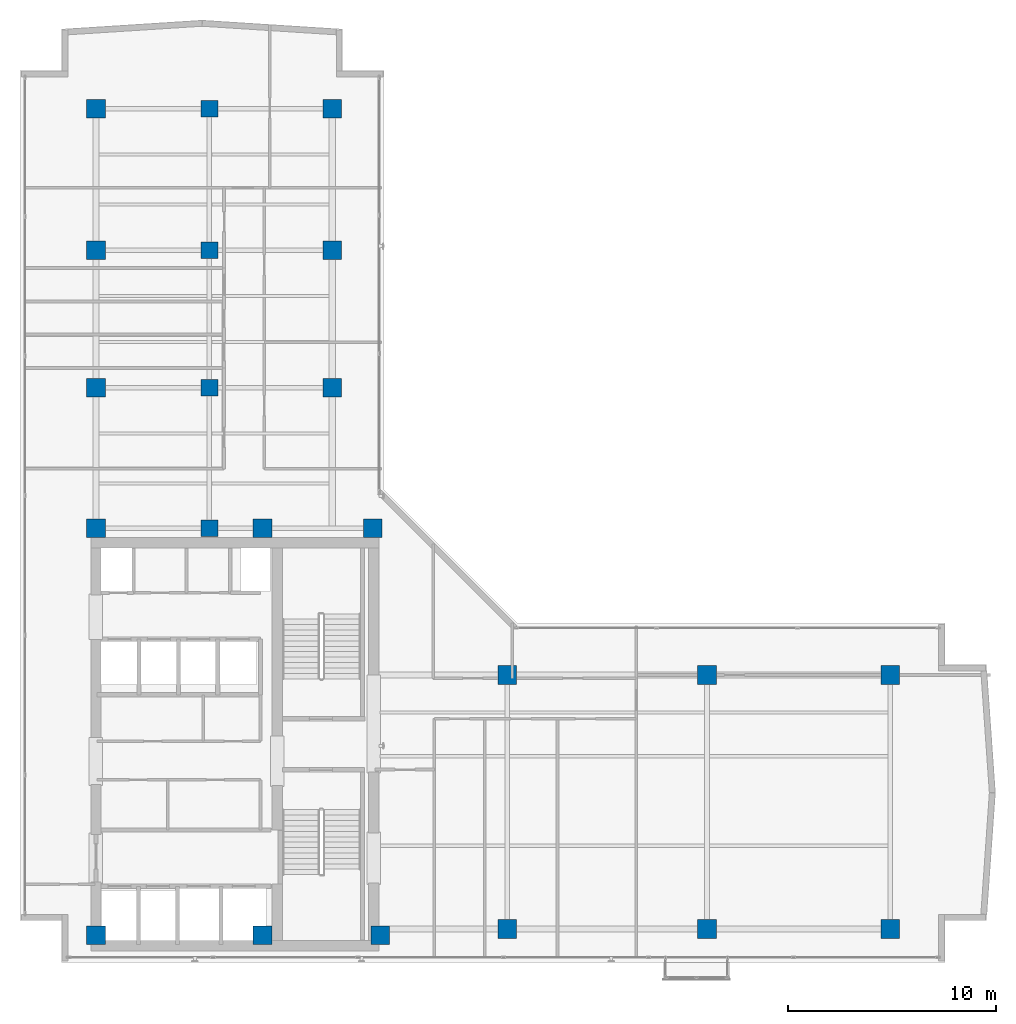
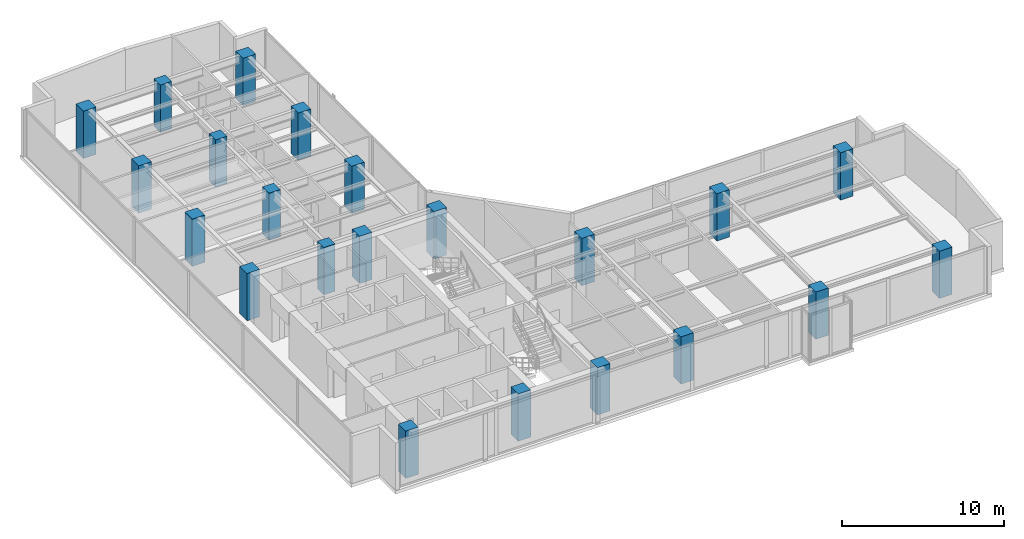
# One storey, part 1 of 24: 22 columns.
"""IFC4 building model written with IfcOpenShell, lengths in metres."""

from ifc_helpers import new_model, si_unit, direction, frame, origin, origin_2d, place, context, subcontext, project, spatial, rectangle, extrude, material, material_profile, profile_set, type_object, element, save


model = new_model("IFC4")

# Units and contexts
model_context = context("Model", 3, precision=1e-05, world=origin(), true_north=direction((0.0, 1.0)))
body_context = subcontext(model_context, "Body", "Model", "MODEL_VIEW")
ifc_project = project(units=[si_unit("LENGTHUNIT", "METRE"), si_unit("AREAUNIT", "SQUARE_METRE"), si_unit("VOLUMEUNIT", "CUBIC_METRE"), si_unit("PLANEANGLEUNIT", "RADIAN"), si_unit("MASSUNIT", "GRAM", prefix="KILO")], contexts=[model_context])

# Site, building, storey
site_placement = place(None, origin())
site = spatial("IfcSite", under=ifc_project, at=site_placement, CompositionType="ELEMENT")
building_placement = place(site_placement, origin())
building = spatial("IfcBuilding", under=site, at=building_placement, Name="Kolvaren Waterfront Exchange", CompositionType="ELEMENT")
storey_placement = place(building_placement, frame((0.0, 0.0, 300.800048828125)))
storey = spatial("IfcBuildingStorey", under=building, at=storey_placement, Name="L77", CompositionType="ELEMENT", Elevation=300.800048828125)

# Columns
ifc_material = material(Name="Concrete C50/60", Category="concrete")
ifc_material_profile_1 = material_profile(ifc_material, rectangle(XDim=0.800048828125, YDim=0.800048828125, at=origin_2d()), Name="RC-COL-800x800")
ifc_profile_set_1 = profile_set([ifc_material_profile_1], Name="Concrete C50/60")
column_type_1 = type_object("IfcColumnType", Name="STR-COL-800-C50", PredefinedType="COLUMN", material=ifc_profile_set_1)
for number, where, z_axis, x_axis, name in (
    (1, (12.89990234375, 24.449951171875, 0.0), (0.0, 0.0, 1.0), (1.0, 0.0, 0.0), "L77 column TC01"),
    (2, (12.89990234375, 31.199951171875, 0.0), (0.0, 0.0, 1.0), (1.0, 0.0, 0.0), "L77 column TC02"),
    (3, (12.89990234375, 37.800048828125, 0.0), (0.0, 0.0, 1.0), (1.0, 0.0, 0.0), "L77 column TC03"),
    (4, (12.89990234375, 44.60009765625, 0.0), (0.0, 0.0, 1.0), (1.0, 0.0, 0.0), "L77 column TC04"),
):
    element("IfcColumn", number, at=place(storey_placement, frame(where, z_axis=z_axis, x_axis=x_axis)), inside=storey, type_object=column_type_1, Name=name, PredefinedType="COLUMN", context=body_context, shape_type="SweptSolid", body=[
        extrude(rectangle(XDim=0.800048828125, YDim=0.800048828125, at=origin_2d()), origin(), (0.0, 0.0, 1.0), 3.56005859375),
    ])
ifc_material_profile_2 = material_profile(ifc_material, rectangle(XDim=0.89990234375, YDim=0.89990234375, at=origin_2d()), Name="RC-COL-900x900")
ifc_profile_set_2 = profile_set([ifc_material_profile_2], Name="Concrete C50/60")
column_type_2 = type_object("IfcColumnType", Name="STR-COL-900-C50", PredefinedType="COLUMN", material=ifc_profile_set_2)
for number, where, z_axis, x_axis, name in (
    (5, (7.449951171875, 4.89990234375, 0.0), (0.0, 0.0, 1.0), (1.0, 0.0, 0.0), "L77 column MC01"),
    (6, (15.449951171875, 4.89990234375, 0.0), (0.0, 0.0, 1.0), (1.0, 0.0, 0.0), "L77 column MC02"),
    (7, (21.10009765625, 4.89990234375, 0.0), (0.0, 0.0, 1.0), (1.0, 0.0, 0.0), "L77 column MC03"),
    (8, (7.449951171875, 24.449951171875, 0.0), (0.0, 0.0, 1.0), (1.0, 0.0, 0.0), "L77 column MC04"),
    (9, (15.449951171875, 24.449951171875, 0.0), (0.0, 0.0, 1.0), (1.0, 0.0, 0.0), "L77 column MC05"),
    (10, (20.75, 24.449951171875, 0.0), (0.0, 0.0, 1.0), (1.0, 0.0, 0.0), "L77 column MC06"),
    (11, (7.449951171875, 31.199951171875, 0.0), (0.0, 0.0, 1.0), (1.0, 0.0, 0.0), "L77 column NC01"),
    (12, (7.449951171875, 37.800048828125, 0.0), (0.0, 0.0, 1.0), (1.0, 0.0, 0.0), "L77 column NC02"),
    (13, (7.449951171875, 44.60009765625, 0.0), (0.0, 0.0, 1.0), (1.0, 0.0, 0.0), "L77 column NC03"),
    (14, (18.800048828125, 31.199951171875, 0.0), (0.0, 0.0, 1.0), (1.0, 0.0, 0.0), "L77 column NC04"),
    (15, (18.800048828125, 37.800048828125, 0.0), (0.0, 0.0, 1.0), (1.0, 0.0, 0.0), "L77 column NC05"),
    (16, (18.800048828125, 44.60009765625, 0.0), (0.0, 0.0, 1.0), (1.0, 0.0, 0.0), "L77 column NC06"),
    (17, (27.199951171875, 5.199951171875, 0.0), (0.0, 0.0, 1.0), (1.0, 0.0, 0.0), "L77 column EC01"),
    (18, (36.800048828125, 5.199951171875, 0.0), (0.0, 0.0, 1.0), (1.0, 0.0, 0.0), "L77 column EC02"),
    (19, (45.60009765625, 5.199951171875, 0.0), (0.0, 0.0, 1.0), (1.0, 0.0, 0.0), "L77 column EC03"),
    (20, (27.199951171875, 17.39990234375, 0.0), (0.0, 0.0, 1.0), (1.0, 0.0, 0.0), "L77 column EC04"),
    (21, (36.800048828125, 17.39990234375, 0.0), (0.0, 0.0, 1.0), (1.0, 0.0, 0.0), "L77 column EC05"),
    (22, (45.60009765625, 17.39990234375, 0.0), (0.0, 0.0, 1.0), (1.0, 0.0, 0.0), "L77 column EC06"),
):
    element("IfcColumn", number, at=place(storey_placement, frame(where, z_axis=z_axis, x_axis=x_axis)), inside=storey, type_object=column_type_2, Name=name, PredefinedType="COLUMN", context=body_context, shape_type="SweptSolid", body=[
        extrude(rectangle(XDim=0.89990234375, YDim=0.89990234375, at=origin_2d()), origin(), (0.0, 0.0, 1.0), 3.56005859375),
    ])

save(model, "model.ifc")
